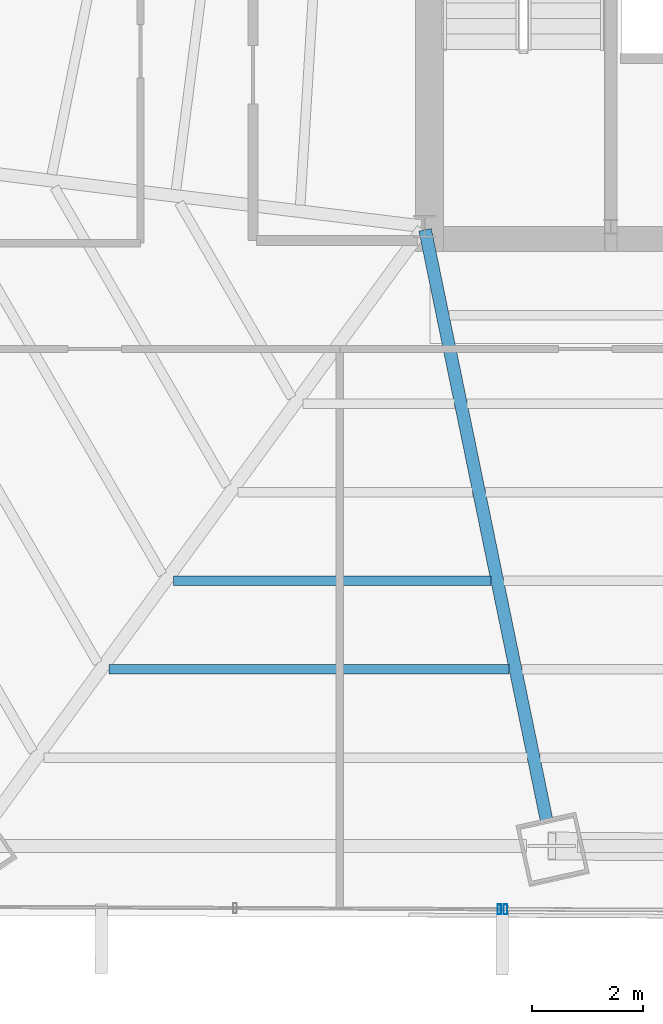
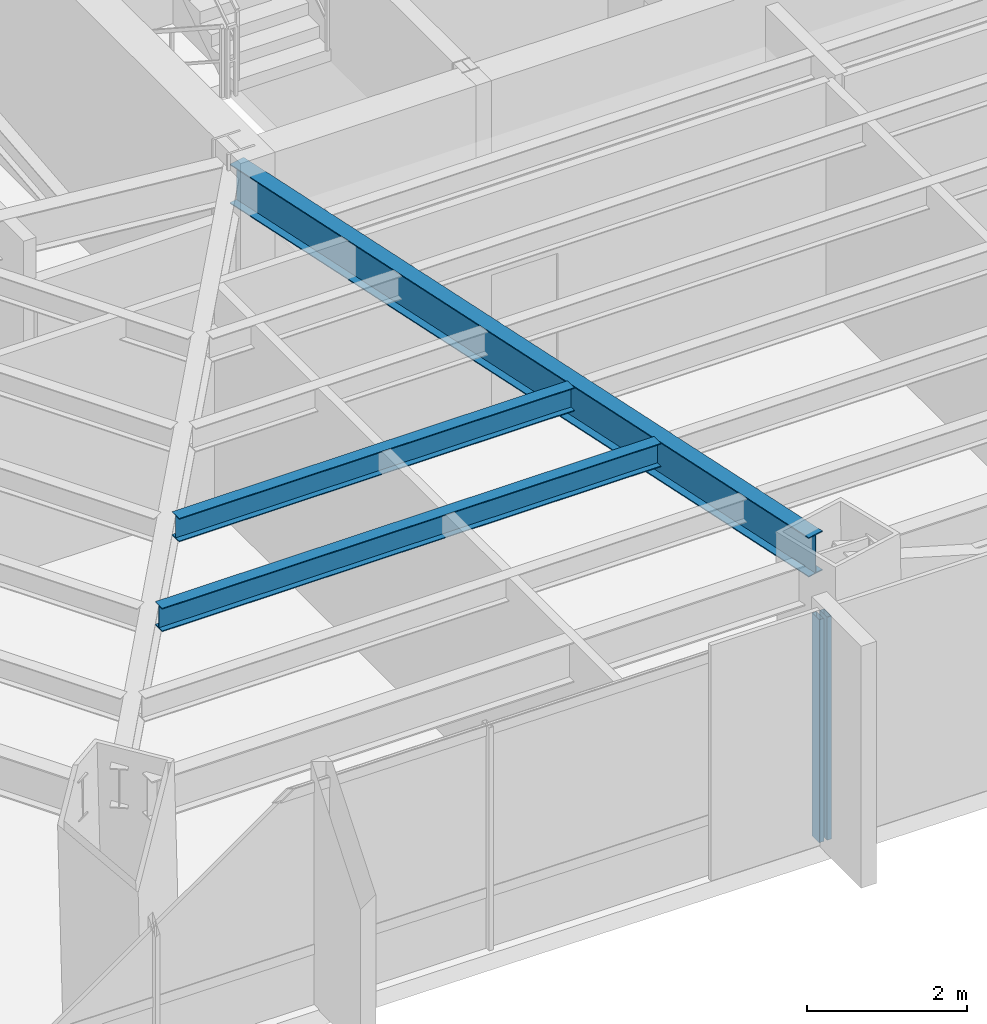
# One storey, part 9 of 35: 3 beams, 2 members, 2 elements without a shape of their own.
"""IFC4 building model written with IfcOpenShell, lengths in metres."""

from ifc_helpers import new_model, si_unit, direction, frame, origin, origin_2d, place, context, subcontext, project, spatial, hollow_rectangle, i_section, extrude, source, transform, mapped, material, material_profile, profile_set, type_object, type_shapes, element, aggregate, save


model = new_model("IFC4")

# Units and contexts
model_context = context("Model", 3, precision=1e-05, world=origin(), true_north=direction((0.0, 1.0)))
body_context = subcontext(model_context, "Body", "Model", "MODEL_VIEW")
ifc_project = project(units=[si_unit("LENGTHUNIT", "METRE"), si_unit("AREAUNIT", "SQUARE_METRE"), si_unit("VOLUMEUNIT", "CUBIC_METRE"), si_unit("PLANEANGLEUNIT", "RADIAN"), si_unit("MASSUNIT", "GRAM", prefix="KILO")], contexts=[model_context])

# Site, building, storey
site_placement = place(None, origin())
site = spatial("IfcSite", under=ifc_project, at=site_placement, CompositionType="ELEMENT")
building_placement = place(site_placement, origin())
building = spatial("IfcBuilding", under=site, at=building_placement, Name="Caelisora Broadcast Tower", CompositionType="ELEMENT")
storey_placement = place(building_placement, frame((0.0, 0.0, 98.10009765625)))
storey = spatial("IfcBuildingStorey", under=building, at=storey_placement, Name="L25", CompositionType="ELEMENT", Elevation=98.10009765625)

# Beams
ifc_material_1 = material(Name="Steel Grade 350 (AS/NZS 3679.1)", Category="steel")
ifc_material_profile_1 = material_profile(ifc_material_1, i_section(OverallWidth=0.22802734375, OverallDepth=0.602294921875, WebThickness=0.010498046875, FlangeThickness=0.014892578125, at=origin_2d()), Name="Steel Grade 350 (AS/NZS 3679.1)")
ifc_profile_set_1 = profile_set([ifc_material_profile_1], Name="Steel Grade 350 (AS/NZS 3679.1)")
beam_type_1 = type_object("IfcBeamType", Name="PG04", PredefinedType="BEAM", material=ifc_profile_set_1)
shared_shape_1 = source(origin(), body_context, "Body", "SweptSolid", [
    extrude(i_section(OverallWidth=0.22802734375, OverallDepth=0.602294921875, WebThickness=0.010498046875, FlangeThickness=0.014892578125, at=origin_2d()), origin(), (0.0, 0.0, 1.0), 10.88427734375),
])
type_shapes(beam_type_1, [shared_shape_1])
beam_1_placement = place(storey_placement, frame((30.51220703125, 17.34130859375, 3.098876953125), z_axis=(0.201470643868, -0.979494553155, 0.0), x_axis=(0.979494553155, 0.201470643868, 0.0)))
element("IfcBeam", 1, at=beam_1_placement, inside=storey, type_object=beam_type_1, Name="L25 beam PG04", PredefinedType="BEAM", context=body_context, shape_type="MappedRepresentation", body=[
    mapped(shared_shape_1, transform((0.0, 0.0, 0.0), scale=1.0)),
])
ifc_material_profile_2 = material_profile(ifc_material_1, i_section(OverallWidth=0.172119140625, OverallDepth=0.358642578125, WebThickness=0.008056640625, FlangeThickness=0.012939453125, at=origin_2d()), Name="Steel Grade 350 (AS/NZS 3679.1)")
ifc_profile_set_2 = profile_set([ifc_material_profile_2], Name="Steel Grade 350 (AS/NZS 3679.1)")
beam_type_2 = type_object("IfcBeamType", Name="SB02", PredefinedType="JOIST", material=ifc_profile_set_2)
shared_shape_2 = source(origin(), body_context, "Body", "SweptSolid", [
    extrude(i_section(OverallWidth=0.172119140625, OverallDepth=0.358642578125, WebThickness=0.008056640625, FlangeThickness=0.012939453125, at=origin_2d()), origin(), (0.0, 0.0, 1.0), 5.703125),
])
beam_2_placement = place(storey_placement, frame((25.991943359375, 11.039306640625, 3.220703125), z_axis=(1.0, 0.0, 0.0), x_axis=(0.0, 1.0, 0.0)))
element("IfcBeam", 2, at=beam_2_placement, inside=storey, type_object=beam_type_2, Name="L25 beam SB02", PredefinedType="JOIST", context=body_context, shape_type="MappedRepresentation", body=[
    mapped(shared_shape_2, transform((0.0, 0.0, 0.0), scale=1.0)),
])
shared_shape_3 = source(origin(), body_context, "Body", "SweptSolid", [
    extrude(i_section(OverallWidth=0.172119140625, OverallDepth=0.358642578125, WebThickness=0.008056640625, FlangeThickness=0.012939453125, at=origin_2d()), origin(), (0.0, 0.0, 1.0), 7.19189453125),
])
type_shapes(beam_type_2, [shared_shape_2, shared_shape_3])
beam_3_placement = place(storey_placement, frame((24.830322265625, 9.44921875, 3.220703125), z_axis=(1.0, 0.0, 0.0), x_axis=(0.0, 1.0, 0.0)))
element("IfcBeam", 3, at=beam_3_placement, inside=storey, type_object=beam_type_2, Name="L25 beam SB02", PredefinedType="JOIST", context=body_context, shape_type="MappedRepresentation", body=[
    mapped(shared_shape_3, transform((0.0, 0.0, 0.0), scale=1.0)),
])

# Curtain wall, member
ifc_material_2 = material(Name="Unitised Aluminium Insulated Shadow-Box Spandrel Curtain Wall", Category="aluminium")
curtain_wall_type_1 = type_object("IfcCurtainWallType", Name="CW-SP1", PredefinedType="NOTDEFINED", material=ifc_material_2)
curtain_wall_1_placement = place(storey_placement, origin())
curtain_wall_1 = element("IfcCurtainWall", 4, at=curtain_wall_1_placement, inside=storey, type_object=curtain_wall_type_1, Name="L25 curtain wall CW-SP1", PredefinedType="NOTDEFINED")
ifc_material_3 = material(Name="Aluminium 6063-T6 Anodised Terracotta Bronze", Category="aluminium")
ifc_material_profile_3 = material_profile(ifc_material_3, hollow_rectangle(XDim=0.06494140625, YDim=0.179931640625, WallThickness=0.00341796875, at=origin_2d()), Name="Aluminium 6063-T6 Anodised Terracotta Bronze")
ifc_profile_set_3 = profile_set([ifc_material_profile_3], Name="Aluminium 6063-T6 Anodised Terracotta Bronze")
member_type = type_object("IfcMemberType", Name="CWM-02", PredefinedType="MULLION", material=ifc_profile_set_3)
shared_shape_4 = source(origin(), body_context, "Body", "SweptSolid", [
    extrude(hollow_rectangle(XDim=0.06494140625, YDim=0.179931640625, WallThickness=0.00341796875, at=origin_2d()), origin(), (0.0, 0.0, 1.0), 3.39990234375),
])
type_shapes(member_type, [shared_shape_4])
member_1_placement = place(storey_placement, frame((31.9560546875, 5.133056640625, 0.0), z_axis=(0.0, 0.0, 1.0), x_axis=(1.0, 0.0, 0.0)))
member_1 = element("IfcMember", 5, at=member_1_placement, type_object=member_type, Name="L25-CW-B06 mullion #3", PredefinedType="MULLION", context=body_context, shape_type="MappedRepresentation", body=[
    mapped(shared_shape_4, transform((0.0, 0.0, 0.0), scale=1.0)),
])
aggregate(curtain_wall_1, [member_1])

ifc_material_4 = material(Name="Unitised Aluminium and Low-E Glass Curtain Wall", Category="glass")
curtain_wall_type_2 = type_object("IfcCurtainWallType", Name="CW-Z2", PredefinedType="NOTDEFINED", material=ifc_material_4)
curtain_wall_2_placement = place(storey_placement, origin())
curtain_wall_2 = element("IfcCurtainWall", 6, at=curtain_wall_2_placement, inside=storey, type_object=curtain_wall_type_2, Name="L25 curtain wall CW-Z2", PredefinedType="NOTDEFINED")
member_2_placement = place(storey_placement, frame((31.84619140625, 5.133544921875, 0.0), z_axis=(0.0, 0.0, 1.0), x_axis=(1.0, 0.0, 0.0)))
member_2 = element("IfcMember", 7, at=member_2_placement, type_object=member_type, Name="L25-CW-B07 mullion #0", PredefinedType="MULLION", context=body_context, shape_type="MappedRepresentation", body=[
    mapped(shared_shape_4, transform((0.0, 0.0, 0.0), scale=1.0)),
])
aggregate(curtain_wall_2, [member_2])

save(model, "model.ifc")
